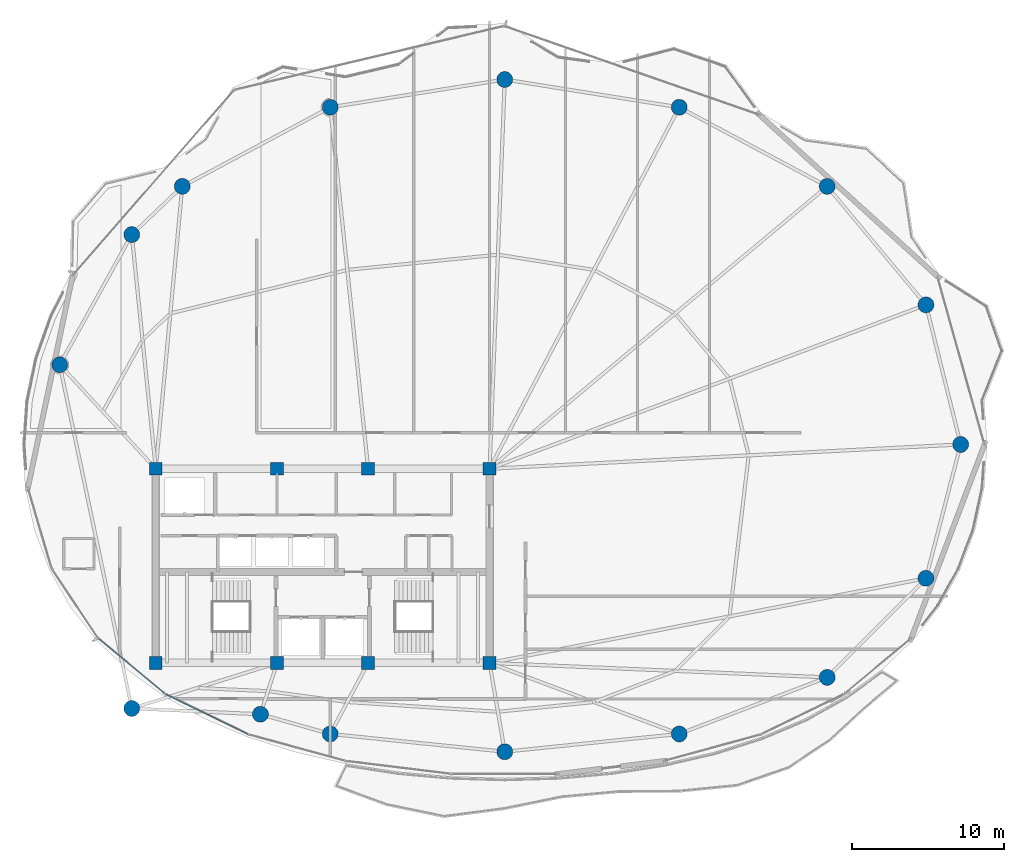
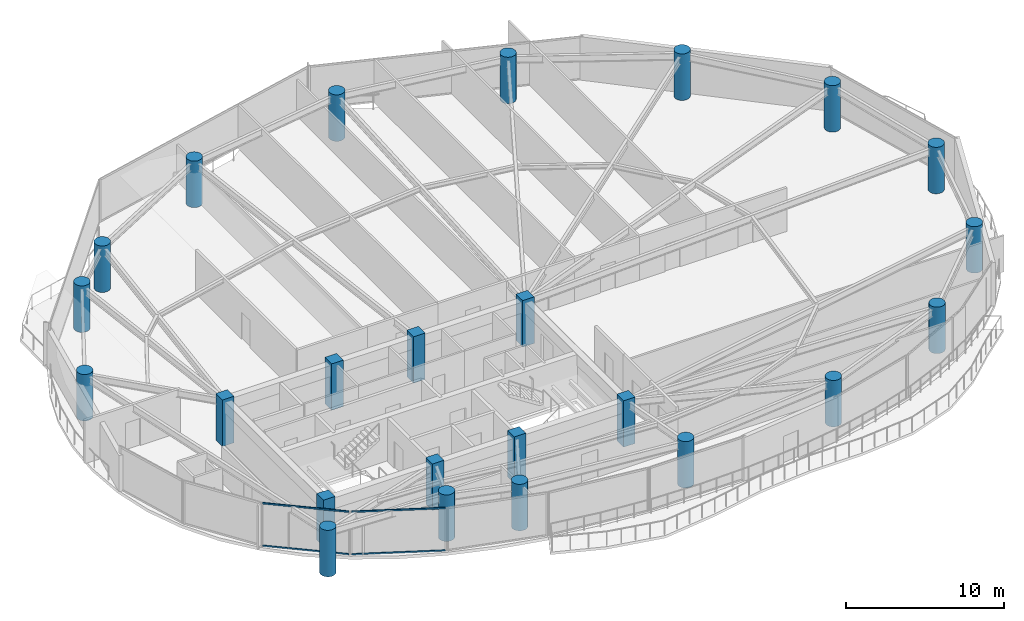
# One storey, part 1 of 28: 24 columns, 4 members, 2 elements without a shape of their own.
"""IFC4 building model written with IfcOpenShell, lengths in metres."""

from ifc_helpers import new_model, si_unit, direction, frame, origin, origin_2d, place, context, subcontext, project, spatial, rectangle, hollow_rectangle, circle, extrude, material, layer, layer_set, material_profile, profile_set, type_object, element, aggregate, save


model = new_model("IFC4")

# Units and contexts
model_context = context("Model", 3, precision=1e-05, world=origin(), true_north=direction((0.0, 1.0)))
body_context = subcontext(model_context, "Body", "Model", "MODEL_VIEW")
ifc_project = project(units=[si_unit("LENGTHUNIT", "METRE"), si_unit("AREAUNIT", "SQUARE_METRE"), si_unit("VOLUMEUNIT", "CUBIC_METRE"), si_unit("PLANEANGLEUNIT", "RADIAN"), si_unit("MASSUNIT", "GRAM", prefix="KILO")], contexts=[model_context])

# Site, building, storey
site_placement = place(None, origin())
site = spatial("IfcSite", under=ifc_project, at=site_placement, CompositionType="ELEMENT")
building_placement = place(site_placement, origin())
building = spatial("IfcBuilding", under=site, at=building_placement, Name="Kazevale Care Tower and Concert Hall", CompositionType="ELEMENT")
storey_placement = place(building_placement, frame((0.0, 0.0, 228.0)))
storey = spatial("IfcBuildingStorey", under=building, at=storey_placement, Name="L60", CompositionType="ELEMENT", Elevation=228.0)

# Columns
ifc_material_1 = material(Name="Concrete C50", Category="concrete")
ifc_material_profile_1 = material_profile(ifc_material_1, rectangle(XDim=0.85009765625, YDim=0.85009765625, at=origin_2d()), Name="RC-SQ850")
ifc_profile_set_1 = profile_set([ifc_material_profile_1], Name="Concrete C50")
column_type_1 = type_object("IfcColumnType", Name="Core Column SQ850 C50", PredefinedType="COLUMN", material=ifc_profile_set_1)
for number, where, z_axis, x_axis, name in (
    (1, (22.0, 23.60009765625, 0.0), (0.0, 0.0, 1.0), (1.0, 0.0, 0.0), "col:L60:CC-01"),
    (2, (30.0, 23.60009765625, 0.0), (0.0, 0.0, 1.0), (1.0, 0.0, 0.0), "col:L60:CC-02"),
    (3, (36.0, 23.60009765625, 0.0), (0.0, 0.0, 1.0), (1.0, 0.0, 0.0), "col:L60:CC-03"),
    (4, (44.0, 23.60009765625, 0.0), (0.0, 0.0, 1.0), (1.0, 0.0, 0.0), "col:L60:CC-04"),
    (5, (44.0, 36.39990234375, 0.0), (0.0, 0.0, 1.0), (1.0, 0.0, 0.0), "col:L60:CC-05"),
    (6, (36.0, 36.39990234375, 0.0), (0.0, 0.0, 1.0), (1.0, 0.0, 0.0), "col:L60:CC-06"),
    (7, (30.0, 36.39990234375, 0.0), (0.0, 0.0, 1.0), (1.0, 0.0, 0.0), "col:L60:CC-07"),
    (8, (22.0, 36.39990234375, 0.0), (0.0, 0.0, 1.0), (1.0, 0.0, 0.0), "col:L60:CC-08"),
):
    element("IfcColumn", number, at=place(storey_placement, frame(where, z_axis=z_axis, x_axis=x_axis)), inside=storey, type_object=column_type_1, Name=name, PredefinedType="COLUMN", context=body_context, shape_type="SweptSolid", body=[
        extrude(rectangle(XDim=0.85009765625, YDim=0.85009765625, at=origin_2d()), origin(), (0.0, 0.0, 1.0), 3.60009765625),
    ])
ifc_material_profile_2 = material_profile(ifc_material_1, circle(Radius=0.52490234375, at=origin_2d()), Name="RC-CIR1050")
ifc_profile_set_2 = profile_set([ifc_material_profile_2], Name="Concrete C50")
column_type_2 = type_object("IfcColumnType", Name="Perimeter Column CIR1050 C50", PredefinedType="COLUMN", material=ifc_profile_set_2)
for number, where, z_axis, x_axis, name in (
    (9, (75.050048828125, 38.0, 0.0), (0.0, 0.0, 1.0), (1.0, 0.0, 0.0), "col:L60:PC-01"),
    (10, (72.760009765625, 47.199951171875, 0.0), (0.0, 0.0, 1.0), (1.0, 0.0, 0.0), "col:L60:PC-02"),
    (11, (66.25, 55.010009765625, 0.0), (0.0, 0.0, 1.0), (1.0, 0.0, 0.0), "col:L60:PC-03"),
    (12, (56.5, 60.219970703125, 0.0), (0.0, 0.0, 1.0), (1.0, 0.0, 0.0), "col:L60:PC-04"),
    (13, (45.0, 62.050048828125, 0.0), (0.0, 0.0, 1.0), (1.0, 0.0, 0.0), "col:L60:PC-05"),
    (14, (33.5, 60.219970703125, 0.0), (0.0, 0.0, 1.0), (1.0, 0.0, 0.0), "col:L60:PC-06"),
    (15, (23.75, 55.010009765625, 0.0), (0.0, 0.0, 1.0), (1.0, 0.0, 0.0), "col:L60:PC-07"),
    (16, (20.419921875, 51.830078125, 0.0), (0.0, 0.0, 1.0), (1.0, 0.0, 0.0), "col:L60:PC-08"),
    (17, (15.669921875, 43.25, 0.0), (0.0, 0.0, 1.0), (1.0, 0.0, 0.0), "col:L60:PC-09"),
    (18, (20.419921875, 20.60009765625, 0.0), (0.0, 0.0, 1.0), (1.0, 0.0, 0.0), "col:L60:PC-10"),
    (19, (28.89990234375, 20.219970703125, 0.0), (0.0, 0.0, 1.0), (1.0, 0.0, 0.0), "col:L60:PC-11"),
    (20, (33.5, 18.919921875, 0.0), (0.0, 0.0, 1.0), (1.0, 0.0, 0.0), "col:L60:PC-12"),
    (21, (45.0, 17.75, 0.0), (0.0, 0.0, 1.0), (1.0, 0.0, 0.0), "col:L60:PC-13"),
    (22, (56.5, 18.919921875, 0.0), (0.0, 0.0, 1.0), (1.0, 0.0, 0.0), "col:L60:PC-14"),
    (23, (66.25, 22.64990234375, 0.0), (0.0, 0.0, 1.0), (1.0, 0.0, 0.0), "col:L60:PC-15"),
    (24, (72.760009765625, 29.179931640625, 0.0), (0.0, 0.0, 1.0), (1.0, 0.0, 0.0), "col:L60:PC-16"),
):
    element("IfcColumn", number, at=place(storey_placement, frame(where, z_axis=z_axis, x_axis=x_axis)), inside=storey, type_object=column_type_2, Name=name, PredefinedType="COLUMN", context=body_context, shape_type="SweptSolid", body=[
        extrude(circle(Radius=0.52490234375, at=origin_2d()), origin(), (0.0, 0.0, 1.0), 3.60009765625),
    ])

# Curtain wall, members
ifc_material_2 = material(Name="Aluminium 6063-T6 and Low-E Glass", Category="aluminium")
ifc_layer = layer(ifc_material_2, 0.179931640625)
ifc_layer_set = layer_set([ifc_layer], Name="Aluminium 6063-T6 and Low-E Glass")
curtain_wall_type = type_object("IfcCurtainWallType", Name="Sheltered Concave Balcony Curtain Wall CW-5", PredefinedType="NOTDEFINED", material=ifc_layer_set)
curtain_wall_1_placement = place(storey_placement, origin())
curtain_wall_1 = element("IfcCurtainWall", 25, at=curtain_wall_1_placement, inside=storey, type_object=curtain_wall_type, Name="cw:L60:f09", PredefinedType="NOTDEFINED")
ifc_material_3 = material(Name="Aluminium 6063-T6", Category="aluminium")
ifc_material_profile_3 = material_profile(ifc_material_3, hollow_rectangle(XDim=0.074951171875, YDim=0.1201171875, WallThickness=0.00390625, at=origin_2d()), Name="ALU75x120x4")
ifc_profile_set_3 = profile_set([ifc_material_profile_3], Name="Aluminium 6063-T6")
member_type = type_object("IfcMemberType", Name="CW-5 Transom ALU75x120x4", PredefinedType="USERDEFINED", material=ifc_profile_set_3)
member_1_placement = place(storey_placement, frame((28.07666015625, 18.90576171875, 0.03759765625), z_axis=(-0.899342308406, 0.437245254189, 0.0), x_axis=(-0.437245254189, -0.899342308406, 0.0)))
member_1 = element("IfcMember", 26, at=member_1_placement, type_object=member_type, Name="CW-5 transom 1.1", ObjectType="TRANSOM", PredefinedType="USERDEFINED", context=body_context, shape_type="SweptSolid", body=[
    extrude(hollow_rectangle(XDim=0.074951171875, YDim=0.1201171875, WallThickness=0.00390625, at=origin_2d()), origin(), (0.0, 0.0, 1.0), 6.00244140625),
])
member_2_placement = place(storey_placement, frame((28.07666015625, 18.90576171875, 3.322509765625), z_axis=(-0.899342308406, 0.437245254189, 0.0), x_axis=(-0.437245254189, -0.899342308406, 0.0)))
member_2 = element("IfcMember", 27, at=member_2_placement, type_object=member_type, Name="CW-5 transom 1.2", ObjectType="TRANSOM", PredefinedType="USERDEFINED", context=body_context, shape_type="SweptSolid", body=[
    extrude(hollow_rectangle(XDim=0.074951171875, YDim=0.1201171875, WallThickness=0.00390625, at=origin_2d()), origin(), (0.0, 0.0, 1.0), 6.00244140625),
])
aggregate(curtain_wall_1, [member_1, member_2])

curtain_wall_2_placement = place(storey_placement, origin())
curtain_wall_2 = element("IfcCurtainWall", 28, at=curtain_wall_2_placement, inside=storey, type_object=curtain_wall_type, Name="cw:L60:f10", PredefinedType="NOTDEFINED")
member_3_placement = place(storey_placement, frame((22.553466796875, 21.611083984375, 0.03759765625), z_axis=(-0.768432829708, 0.639930454211, 0.0), x_axis=(-0.639930454211, -0.768432829708, 0.0)))
member_3 = element("IfcMember", 29, at=member_3_placement, type_object=member_type, Name="CW-5 transom 1.1", ObjectType="TRANSOM", PredefinedType="USERDEFINED", context=body_context, shape_type="SweptSolid", body=[
    extrude(hollow_rectangle(XDim=0.074951171875, YDim=0.1201171875, WallThickness=0.00390625, at=origin_2d()), origin(), (0.0, 0.0, 1.0), 5.580078125),
])
member_4_placement = place(storey_placement, frame((22.553466796875, 21.611083984375, 3.322509765625), z_axis=(-0.768432829708, 0.639930454211, 0.0), x_axis=(-0.639930454211, -0.768432829708, 0.0)))
member_4 = element("IfcMember", 30, at=member_4_placement, type_object=member_type, Name="CW-5 transom 1.2", ObjectType="TRANSOM", PredefinedType="USERDEFINED", context=body_context, shape_type="SweptSolid", body=[
    extrude(hollow_rectangle(XDim=0.074951171875, YDim=0.1201171875, WallThickness=0.00390625, at=origin_2d()), origin(), (0.0, 0.0, 1.0), 5.580078125),
])
aggregate(curtain_wall_2, [member_3, member_4])

save(model, "model.ifc")
